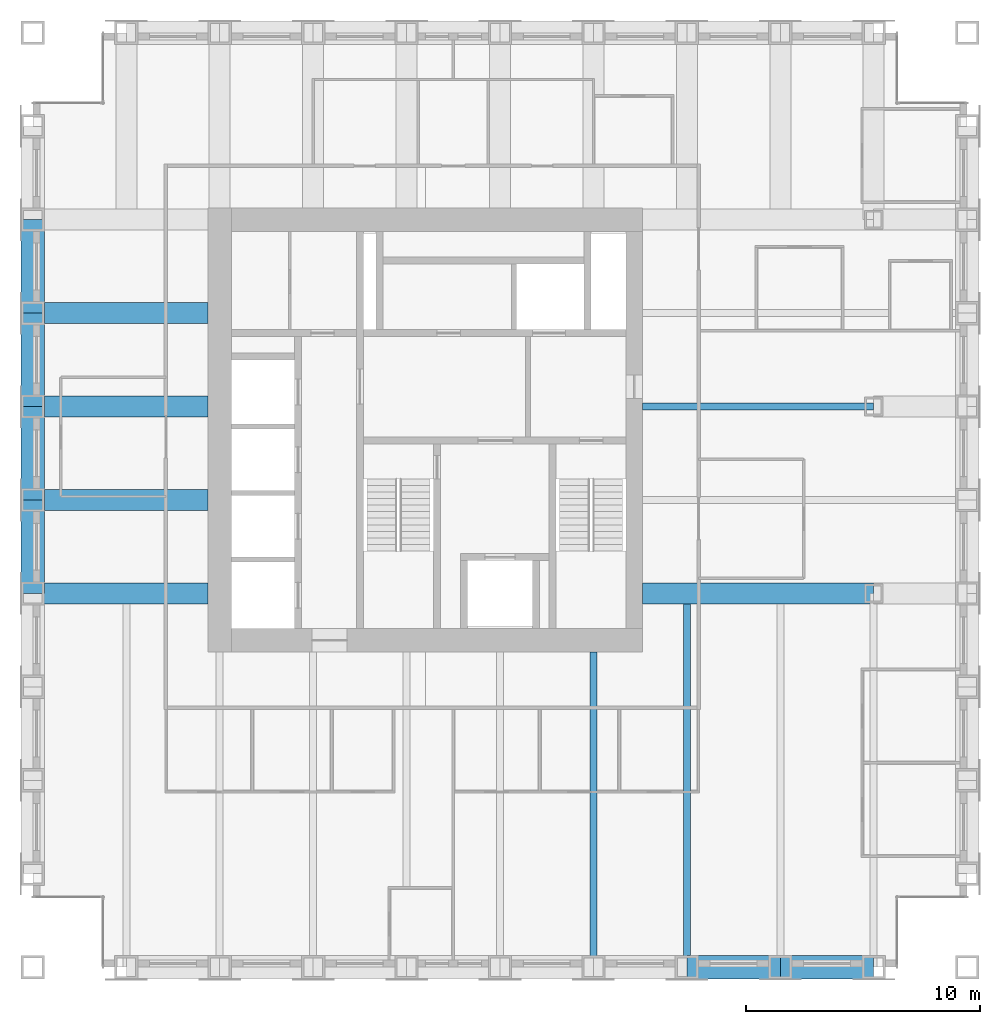
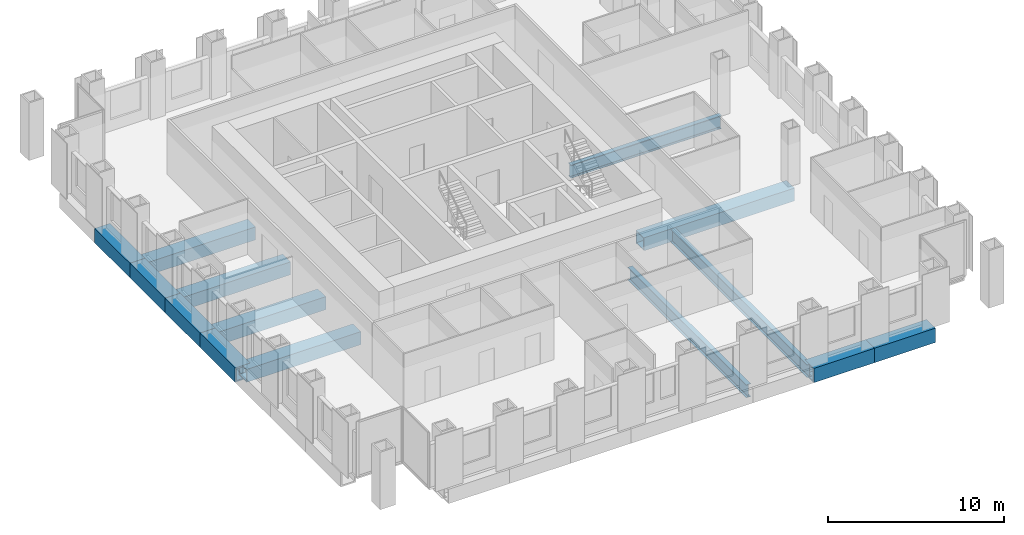
# One storey, part 3 of 13: 14 beams.
"""IFC4 building model written with IfcOpenShell, lengths in metres."""

from ifc_helpers import new_model, si_unit, direction, frame, origin, origin_2d, place, context, subcontext, project, spatial, hollow_rectangle, i_section, extrude, material, material_profile, profile_set, type_object, element, save


model = new_model("IFC4")

# Units and contexts
model_context = context("Model", 3, precision=1e-05, world=origin(), true_north=direction((0.0, 1.0)))
body_context = subcontext(model_context, "Body", "Model", "MODEL_VIEW")
ifc_project = project(units=[si_unit("LENGTHUNIT", "METRE"), si_unit("AREAUNIT", "SQUARE_METRE"), si_unit("VOLUMEUNIT", "CUBIC_METRE"), si_unit("PLANEANGLEUNIT", "RADIAN"), si_unit("MASSUNIT", "GRAM", prefix="KILO")], contexts=[model_context])

# Site, building, storey
site_placement = place(None, origin())
site = spatial("IfcSite", under=ifc_project, at=site_placement, CompositionType="ELEMENT")
building_placement = place(site_placement, origin())
building = spatial("IfcBuilding", under=site, at=building_placement, Name="Rimbunsela Tower", CompositionType="ELEMENT")
storey_placement = place(building_placement, frame((0.0, 0.0, 258.199951171875)))
storey = spatial("IfcBuildingStorey", under=building, at=storey_placement, Name="L62", CompositionType="ELEMENT", Elevation=258.199951171875)

# Beams
ifc_material_1 = material(Name="Steel BJ 55 (fy 410 MPa)", Category="steel")
ifc_material_profile_1 = material_profile(ifc_material_1, hollow_rectangle(XDim=1.0, YDim=1.0, WallThickness=0.10009765625, at=origin_2d()), Name="BOX 1000x1000x100")
ifc_profile_set_1 = profile_set([ifc_material_profile_1], Name="Steel BJ 55 (fy 410 MPa)")
beam_type_1 = type_object("IfcBeamType", Name="Beam BOX 1000x1000x100", PredefinedType="BEAM", material=ifc_profile_set_1)
for number, where, z_axis, x_axis, name in (
    (1, (10.0, 20.0, -0.64990234375), (0.0, 1.0, 0.0), (-1.0, 0.0, 0.0), "Beam B3 L62"),
    (2, (10.0, 24.0, -0.64990234375), (0.0, 1.0, 0.0), (-1.0, 0.0, 0.0), "Beam B3 L62"),
    (3, (10.0, 28.0, -0.64990234375), (0.0, 1.0, 0.0), (-1.0, 0.0, 0.0), "Beam B3 L62"),
    (4, (10.0, 32.0, -0.64990234375), (0.0, 1.0, 0.0), (-1.0, 0.0, 0.0), "Beam B3 L62"),
    (5, (38.0, 4.0, -0.64990234375), (1.0, 0.0, 0.0), (0.0, 1.0, 0.0), "Beam B3 L62"),
    (6, (42.0, 4.0, -0.64990234375), (1.0, 0.0, 0.0), (0.0, 1.0, 0.0), "Beam B3 L62"),
):
    element("IfcBeam", number, at=place(storey_placement, frame(where, z_axis=z_axis, x_axis=x_axis)), inside=storey, type_object=beam_type_1, Name=name, PredefinedType="BEAM", context=body_context, shape_type="SweptSolid", body=[
        extrude(hollow_rectangle(XDim=1.0, YDim=1.0, WallThickness=0.10009765625, at=origin_2d()), origin(), (0.0, 0.0, 1.0), 4.0),
    ])
ifc_material_2 = material(Name="Steel BJ 55 (fy 410 MPa)", Category="steel")
ifc_material_profile_2 = material_profile(ifc_material_2, hollow_rectangle(XDim=0.89990234375, YDim=0.89990234375, WallThickness=0.06005859375, at=origin_2d()), Name="BOX 900x900x60")
ifc_profile_set_2 = profile_set([ifc_material_profile_2], Name="Steel BJ 55 (fy 410 MPa)")
beam_type_2 = type_object("IfcBeamType", Name="Beam BOX 900x900x60", PredefinedType="BEAM", material=ifc_profile_set_2)
for number, where, z_axis, x_axis, name in (
    (7, (10.0, 20.0, -0.599853515625), (1.0, 0.0, 0.0), (0.0, 1.0, 0.0), "Beam B1 L62"),
    (8, (10.0, 24.0, -0.599853515625), (1.0, 0.0, 0.0), (0.0, 1.0, 0.0), "Beam B1 L62"),
    (9, (10.0, 28.0, -0.599853515625), (1.0, 0.0, 0.0), (0.0, 1.0, 0.0), "Beam B1 L62"),
    (10, (10.0, 32.0, -0.599853515625), (1.0, 0.0, 0.0), (0.0, 1.0, 0.0), "Beam B1 L62"),
):
    element("IfcBeam", number, at=place(storey_placement, frame(where, z_axis=z_axis, x_axis=x_axis)), inside=storey, type_object=beam_type_2, Name=name, PredefinedType="BEAM", context=body_context, shape_type="SweptSolid", body=[
        extrude(hollow_rectangle(XDim=0.89990234375, YDim=0.89990234375, WallThickness=0.06005859375, at=origin_2d()), origin(), (0.0, 0.0, 1.0), 7.5),
    ])
beam_1_placement = place(storey_placement, frame((36.10009765625, 20.0, -0.599853515625), z_axis=(1.0, 0.0, 0.0), x_axis=(0.0, 1.0, 0.0)))
element("IfcBeam", 11, at=beam_1_placement, inside=storey, type_object=beam_type_2, Name="Beam B1 L62", PredefinedType="BEAM", context=body_context, shape_type="SweptSolid", body=[
    extrude(hollow_rectangle(XDim=0.89990234375, YDim=0.89990234375, WallThickness=0.06005859375, at=origin_2d()), origin(), (0.0, 0.0, 1.0), 9.89990234375),
])
ifc_material_3 = material(Name="Steel BJ 55 (fy 410 MPa)", Category="steel")
ifc_material_profile_3 = material_profile(ifc_material_3, i_section(OverallWidth=0.300048828125, OverallDepth=0.89990234375, WebThickness=0.01611328125, FlangeThickness=0.028076171875, FilletRadius=0.028076171875, at=origin_2d()), Name="H 900x300x16x28")
ifc_profile_set_3 = profile_set([ifc_material_profile_3], Name="Steel BJ 55 (fy 410 MPa)")
beam_type_3 = type_object("IfcBeamType", Name="Beam H 900x300x16x28", PredefinedType="BEAM", material=ifc_profile_set_3)
beam_2_placement = place(storey_placement, frame((34.0, 4.0, -0.599853515625), z_axis=(0.0, 1.0, 0.0), x_axis=(-1.0, 0.0, 0.0)))
element("IfcBeam", 12, at=beam_2_placement, inside=storey, type_object=beam_type_3, Name="Beam B2 L62", PredefinedType="BEAM", context=body_context, shape_type="SweptSolid", body=[
    extrude(i_section(OverallWidth=0.300048828125, OverallDepth=0.89990234375, WebThickness=0.01611328125, FlangeThickness=0.028076171875, FilletRadius=0.028076171875, at=origin_2d()), origin(), (0.0, 0.0, 1.0), 13.5),
])
beam_3_placement = place(storey_placement, frame((36.10009765625, 28.0, -0.599853515625), z_axis=(1.0, 0.0, 0.0), x_axis=(0.0, 1.0, 0.0)))
element("IfcBeam", 13, at=beam_3_placement, inside=storey, type_object=beam_type_3, Name="Beam B2 L62", PredefinedType="BEAM", context=body_context, shape_type="SweptSolid", body=[
    extrude(i_section(OverallWidth=0.300048828125, OverallDepth=0.89990234375, WebThickness=0.01611328125, FlangeThickness=0.028076171875, FilletRadius=0.028076171875, at=origin_2d()), origin(), (0.0, 0.0, 1.0), 9.89990234375),
])
beam_4_placement = place(storey_placement, frame((38.0, 4.0, -0.599853515625), z_axis=(0.0, 1.0, 0.0), x_axis=(-1.0, 0.0, 0.0)))
element("IfcBeam", 14, at=beam_4_placement, inside=storey, type_object=beam_type_3, Name="Beam B2 L62", PredefinedType="BEAM", context=body_context, shape_type="SweptSolid", body=[
    extrude(i_section(OverallWidth=0.300048828125, OverallDepth=0.89990234375, WebThickness=0.01611328125, FlangeThickness=0.028076171875, FilletRadius=0.028076171875, at=origin_2d()), origin(), (0.0, 0.0, 1.0), 15.550048828125),
])

save(model, "model.ifc")
